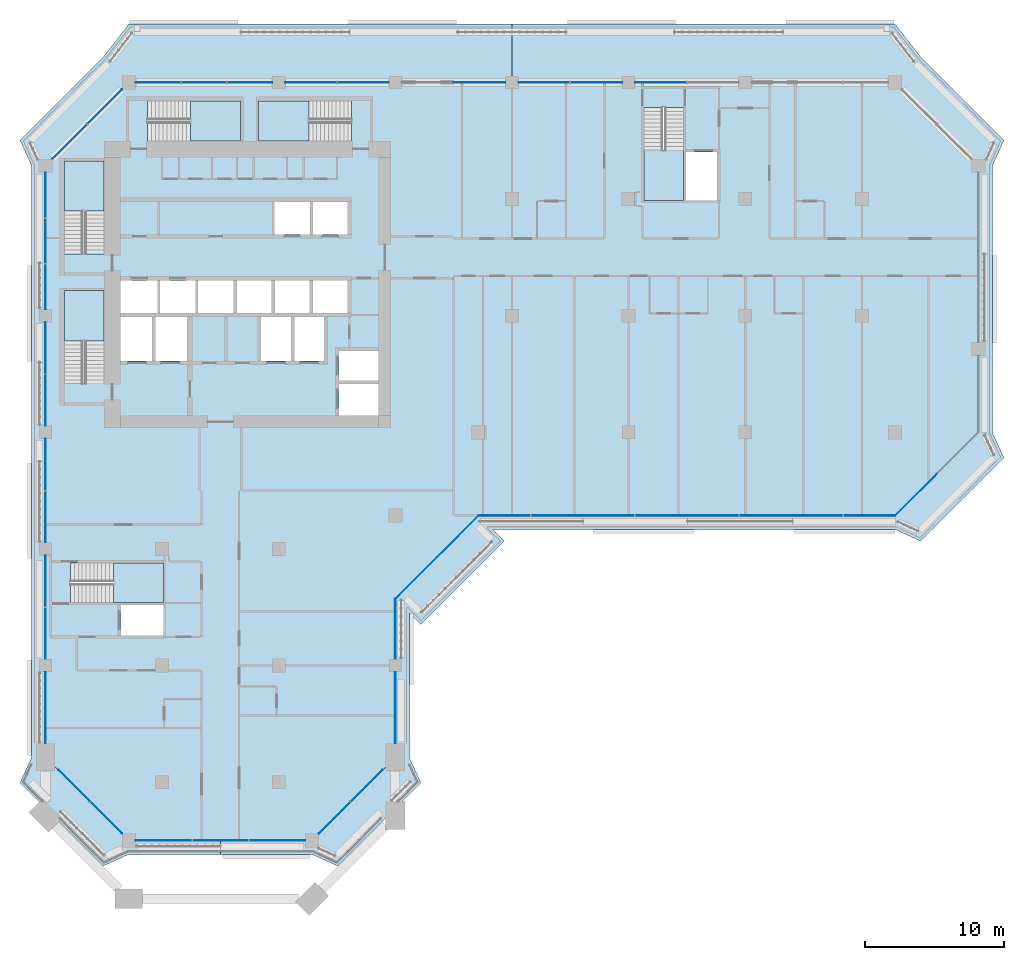
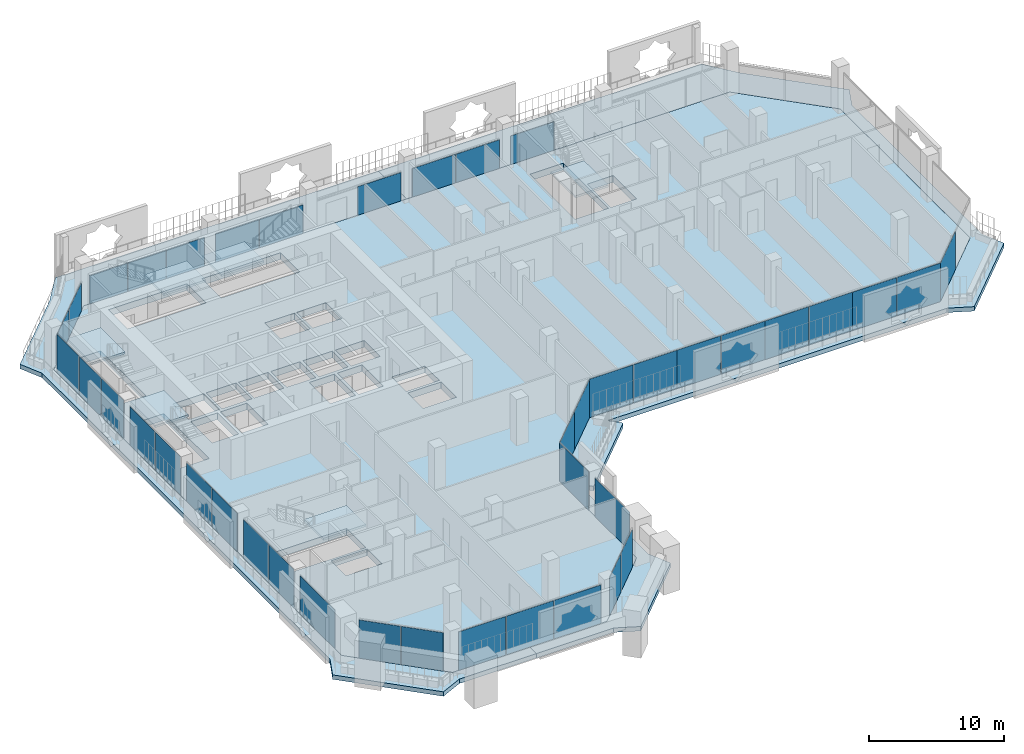
# One storey, part 8 of 23: 41 plates, 9 slabs, 16 elements without a shape of their own.
"""IFC4 building model written with IfcOpenShell, lengths in metres."""

from ifc_helpers import new_model, si_unit, direction, frame, origin, origin_2d, place, context, subcontext, project, spatial, polyline, rectangle, outline, extrude, material, layer, layer_set, type_object, element, aggregate, save


model = new_model("IFC4")

# Units and contexts
model_context = context("Model", 3, precision=1e-05, world=origin(), true_north=direction((0.0, 1.0)))
body_context = subcontext(model_context, "Body", "Model", "MODEL_VIEW")
ifc_project = project(units=[si_unit("LENGTHUNIT", "METRE"), si_unit("AREAUNIT", "SQUARE_METRE"), si_unit("VOLUMEUNIT", "CUBIC_METRE"), si_unit("PLANEANGLEUNIT", "RADIAN"), si_unit("MASSUNIT", "GRAM", prefix="KILO")], contexts=[model_context])

# Site, building, storey
site_placement = place(None, origin())
site = spatial("IfcSite", under=ifc_project, at=site_placement, CompositionType="ELEMENT")
building_placement = place(site_placement, origin())
building = spatial("IfcBuilding", under=site, at=building_placement, Name="Kawkab Arch Medical Tower", CompositionType="ELEMENT")
storey_placement = place(building_placement, frame((0.0, 0.0, 175.199951171875)))
storey = spatial("IfcBuildingStorey", under=building, at=storey_placement, Name="L40", CompositionType="ELEMENT", Elevation=175.199951171875)

# Curtain wall, plates
ifc_material_1 = material(Name="Bronze anodised aluminium curtain wall frame", Category="aluminium")
ifc_layer_1 = layer(ifc_material_1, 0.159912109375)
ifc_layer_set_1 = layer_set([ifc_layer_1], Name="Bronze anodised aluminium curtain wall frame")
curtain_wall_type_1 = type_object("IfcCurtainWallType", Name="CW1 ward curtain wall", PredefinedType="NOTDEFINED", material=ifc_layer_set_1)
placement_1 = place(storey_placement, origin())
curtain_wall_1 = element("IfcCurtainWall", 1, at=placement_1, inside=storey, type_object=curtain_wall_type_1, Name="CW1 Ward curtain wall R01", PredefinedType="NOTDEFINED")
ifc_material_2 = material(Name="Tinted insulating glass, bronze low-e coating", Category="glass")
ifc_layer_2 = layer(ifc_material_2, 0.031982421875)
ifc_layer_set_2 = layer_set([ifc_layer_2], Name="Tinted insulating glass, bronze low-e coating")
plate_type_1 = type_object("IfcPlateType", Name="CW1 glazing unit 32", PredefinedType="CURTAIN_PANEL", material=ifc_layer_set_2)
plate_1_placement = place(storey_placement, frame((0.0, -8.12255859375, 0.0), z_axis=(0.0, 0.0, 1.0), x_axis=(0.0, -1.0, 0.0)))
plate_1 = element("IfcPlate", 2, at=plate_1_placement, type_object=plate_type_1, Name="CW1 glazing unit 1.1", PredefinedType="CURTAIN_PANEL", context=body_context, shape_type="SweptSolid", body=[
    extrude(rectangle(XDim=3.2451171875, YDim=0.031982421875, at=origin_2d()), origin(), (0.0, 0.0, 1.0), 3.47998046875),
])
plate_2_placement = place(storey_placement, frame((0.0, -11.41259765625, 0.0), z_axis=(0.0, 0.0, 1.0), x_axis=(0.0, -1.0, 0.0)))
plate_2 = element("IfcPlate", 3, at=plate_2_placement, type_object=plate_type_1, Name="CW1 glazing unit 1.2", PredefinedType="CURTAIN_PANEL", context=body_context, shape_type="SweptSolid", body=[
    extrude(rectangle(XDim=3.215087890625, YDim=0.031982421875, at=origin_2d()), origin(), (0.0, 0.0, 1.0), 3.47998046875),
])
plate_3_placement = place(storey_placement, frame((0.0, -14.702392578125, 0.0), z_axis=(0.0, 0.0, 1.0), x_axis=(0.0, -1.0, 0.0)))
plate_3 = element("IfcPlate", 4, at=plate_3_placement, type_object=plate_type_1, Name="CW1 glazing unit 1.3", PredefinedType="CURTAIN_PANEL", context=body_context, shape_type="SweptSolid", body=[
    extrude(rectangle(XDim=3.2451171875, YDim=0.031982421875, at=origin_2d()), origin(), (0.0, 0.0, 1.0), 3.47998046875),
])
plate_4_placement = place(storey_placement, frame((0.0, -19.12255859375, 0.0), z_axis=(0.0, 0.0, 1.0), x_axis=(0.0, -1.0, 0.0)))
plate_4 = element("IfcPlate", 5, at=plate_4_placement, type_object=plate_type_1, Name="CW1 glazing unit 2.1", PredefinedType="CURTAIN_PANEL", context=body_context, shape_type="SweptSolid", body=[
    extrude(rectangle(XDim=3.695068359375, YDim=0.031982421875, at=origin_2d()), origin(), (0.0, 0.0, 1.0), 3.47998046875),
])
plate_5_placement = place(storey_placement, frame((0.0, -22.87744140625, 0.0), z_axis=(0.0, 0.0, 1.0), x_axis=(0.0, -1.0, 0.0)))
plate_5 = element("IfcPlate", 6, at=plate_5_placement, type_object=plate_type_1, Name="CW1 glazing unit 2.2", PredefinedType="CURTAIN_PANEL", context=body_context, shape_type="SweptSolid", body=[
    extrude(rectangle(XDim=3.695068359375, YDim=0.031982421875, at=origin_2d()), origin(), (0.0, 0.0, 1.0), 3.47998046875),
])
plate_6_placement = place(storey_placement, frame((0.0, -27.5224609375, 0.0), z_axis=(0.0, 0.0, 1.0), x_axis=(0.0, -1.0, 0.0)))
plate_6 = element("IfcPlate", 7, at=plate_6_placement, type_object=plate_type_1, Name="CW1 glazing unit 3.1", PredefinedType="CURTAIN_PANEL", context=body_context, shape_type="SweptSolid", body=[
    extrude(rectangle(XDim=3.695068359375, YDim=0.031982421875, at=origin_2d()), origin(), (0.0, 0.0, 1.0), 3.47998046875),
])
plate_7_placement = place(storey_placement, frame((0.0, -31.277587890625, 0.0), z_axis=(0.0, 0.0, 1.0), x_axis=(0.0, -1.0, 0.0)))
plate_7 = element("IfcPlate", 8, at=plate_7_placement, type_object=plate_type_1, Name="CW1 glazing unit 3.2", PredefinedType="CURTAIN_PANEL", context=body_context, shape_type="SweptSolid", body=[
    extrude(rectangle(XDim=3.695068359375, YDim=0.031982421875, at=origin_2d()), origin(), (0.0, 0.0, 1.0), 3.47998046875),
])
plate_8_placement = place(storey_placement, frame((0.0, -35.922607421875, 0.0), z_axis=(0.0, 0.0, 1.0), x_axis=(0.0, -1.0, 0.0)))
plate_8 = element("IfcPlate", 9, at=plate_8_placement, type_object=plate_type_1, Name="CW1 glazing unit 4.1", PredefinedType="CURTAIN_PANEL", context=body_context, shape_type="SweptSolid", body=[
    extrude(rectangle(XDim=3.695068359375, YDim=0.031982421875, at=origin_2d()), origin(), (0.0, 0.0, 1.0), 3.47998046875),
])
plate_9_placement = place(storey_placement, frame((0.0, -39.677490234375, 0.0), z_axis=(0.0, 0.0, 1.0), x_axis=(0.0, -1.0, 0.0)))
plate_9 = element("IfcPlate", 10, at=plate_9_placement, type_object=plate_type_1, Name="CW1 glazing unit 4.2", PredefinedType="CURTAIN_PANEL", context=body_context, shape_type="SweptSolid", body=[
    extrude(rectangle(XDim=3.695068359375, YDim=0.031982421875, at=origin_2d()), origin(), (0.0, 0.0, 1.0), 3.47998046875),
])
plate_10_placement = place(storey_placement, frame((0.0, -45.03759765625, 0.0), z_axis=(0.0, 0.0, 1.0), x_axis=(0.0, -1.0, 0.0)))
plate_10 = element("IfcPlate", 11, at=plate_10_placement, type_object=plate_type_1, Name="CW1 glazing unit 5.1", PredefinedType="CURTAIN_PANEL", context=body_context, shape_type="SweptSolid", body=[
    extrude(rectangle(XDim=5.125, YDim=0.031982421875, at=origin_2d()), origin(), (0.0, 0.0, 1.0), 3.47998046875),
])
aggregate(curtain_wall_1, [plate_1, plate_2, plate_3, plate_4, plate_5, plate_6, plate_7, plate_8, plate_9, plate_10])

curtain_wall_2 = element("IfcCurtainWall", 12, at=placement_1, inside=storey, type_object=curtain_wall_type_1, Name="CW1 Ward curtain wall R03", PredefinedType="NOTDEFINED")
plate_11_placement = place(storey_placement, frame((8.518310546875, -54.60009765625, 0.0), z_axis=(0.0, 0.0, 1.0), x_axis=(1.0, 0.0, 0.0)))
plate_11 = element("IfcPlate", 13, at=plate_11_placement, type_object=plate_type_1, Name="CW1 glazing unit 1.1", PredefinedType="CURTAIN_PANEL", context=body_context, shape_type="SweptSolid", body=[
    extrude(rectangle(XDim=4.03662109375, YDim=0.031982421875, at=origin_2d()), origin(), (0.0, 0.0, 1.0), 3.47998046875),
])
plate_12_placement = place(storey_placement, frame((12.60009765625, -54.60009765625, 0.0), z_axis=(0.0, 0.0, 1.0), x_axis=(1.0, 0.0, 0.0)))
plate_12 = element("IfcPlate", 14, at=plate_12_placement, type_object=plate_type_1, Name="CW1 glazing unit 1.2", PredefinedType="CURTAIN_PANEL", context=body_context, shape_type="SweptSolid", body=[
    extrude(rectangle(XDim=4.006591796875, YDim=0.031982421875, at=origin_2d()), origin(), (0.0, 0.0, 1.0), 3.47998046875),
])
plate_13_placement = place(storey_placement, frame((16.681640625, -54.60009765625, 0.0), z_axis=(0.0, 0.0, 1.0), x_axis=(1.0, 0.0, 0.0)))
plate_13 = element("IfcPlate", 15, at=plate_13_placement, type_object=plate_type_1, Name="CW1 glazing unit 1.3", PredefinedType="CURTAIN_PANEL", context=body_context, shape_type="SweptSolid", body=[
    extrude(rectangle(XDim=4.03662109375, YDim=0.031982421875, at=origin_2d()), origin(), (0.0, 0.0, 1.0), 3.47998046875),
])
aggregate(curtain_wall_2, [plate_11, plate_12, plate_13])

curtain_wall_3 = element("IfcCurtainWall", 16, at=placement_1, inside=storey, type_object=curtain_wall_type_1, Name="CW1 Ward curtain wall R05", PredefinedType="NOTDEFINED")
plate_14_placement = place(storey_placement, frame((25.199951171875, -45.03759765625, 0.0), z_axis=(0.0, 0.0, 1.0), x_axis=(0.0, 1.0, 0.0)))
plate_14 = element("IfcPlate", 17, at=plate_14_placement, type_object=plate_type_1, Name="CW1 glazing unit 1.1", PredefinedType="CURTAIN_PANEL", context=body_context, shape_type="SweptSolid", body=[
    extrude(rectangle(XDim=5.125, YDim=0.031982421875, at=origin_2d()), origin(), (0.0, 0.0, 1.0), 3.47998046875),
])
plate_15_placement = place(storey_placement, frame((25.199951171875, -39.362548828125, 0.0), z_axis=(0.0, 0.0, 1.0), x_axis=(0.0, 1.0, 0.0)))
plate_15 = element("IfcPlate", 18, at=plate_15_placement, type_object=plate_type_1, Name="CW1 glazing unit 2.1", PredefinedType="CURTAIN_PANEL", context=body_context, shape_type="SweptSolid", body=[
    extrude(rectangle(XDim=4.324951171875, YDim=0.031982421875, at=origin_2d()), origin(), (0.0, 0.0, 1.0), 3.47998046875),
])
aggregate(curtain_wall_3, [plate_14, plate_15])

curtain_wall_4 = element("IfcCurtainWall", 19, at=placement_1, inside=storey, type_object=curtain_wall_type_1, Name="CW1 Ward curtain wall R07", PredefinedType="NOTDEFINED")
plate_16_placement = place(storey_placement, frame((33.06005859375, -31.199951171875, 0.0), z_axis=(0.0, 0.0, 1.0), x_axis=(1.0, 0.0, 0.0)))
plate_16 = element("IfcPlate", 20, at=plate_16_placement, type_object=plate_type_1, Name="CW1 glazing unit 1.1", PredefinedType="CURTAIN_PANEL", context=body_context, shape_type="SweptSolid", body=[
    extrude(rectangle(XDim=3.719970703125, YDim=0.031982421875, at=origin_2d()), origin(), (0.0, 0.0, 1.0), 3.47998046875),
])
plate_17_placement = place(storey_placement, frame((36.840087890625, -31.199951171875, 0.0), z_axis=(0.0, 0.0, 1.0), x_axis=(1.0, 0.0, 0.0)))
plate_17 = element("IfcPlate", 21, at=plate_17_placement, type_object=plate_type_1, Name="CW1 glazing unit 1.2", PredefinedType="CURTAIN_PANEL", context=body_context, shape_type="SweptSolid", body=[
    extrude(rectangle(XDim=3.719970703125, YDim=0.031982421875, at=origin_2d()), origin(), (0.0, 0.0, 1.0), 3.47998046875),
])
plate_18_placement = place(storey_placement, frame((40.56005859375, -31.199951171875, 0.0), z_axis=(0.0, 0.0, 1.0), x_axis=(1.0, 0.0, 0.0)))
plate_18 = element("IfcPlate", 22, at=plate_18_placement, type_object=plate_type_1, Name="CW1 glazing unit 2.1", PredefinedType="CURTAIN_PANEL", context=body_context, shape_type="SweptSolid", body=[
    extrude(rectangle(XDim=3.719970703125, YDim=0.031982421875, at=origin_2d()), origin(), (0.0, 0.0, 1.0), 3.47998046875),
])
plate_19_placement = place(storey_placement, frame((44.340087890625, -31.199951171875, 0.0), z_axis=(0.0, 0.0, 1.0), x_axis=(1.0, 0.0, 0.0)))
plate_19 = element("IfcPlate", 23, at=plate_19_placement, type_object=plate_type_1, Name="CW1 glazing unit 2.2", PredefinedType="CURTAIN_PANEL", context=body_context, shape_type="SweptSolid", body=[
    extrude(rectangle(XDim=3.719970703125, YDim=0.031982421875, at=origin_2d()), origin(), (0.0, 0.0, 1.0), 3.47998046875),
])
plate_20_placement = place(storey_placement, frame((48.06005859375, -31.199951171875, 0.0), z_axis=(0.0, 0.0, 1.0), x_axis=(1.0, 0.0, 0.0)))
plate_20 = element("IfcPlate", 24, at=plate_20_placement, type_object=plate_type_1, Name="CW1 glazing unit 3.1", PredefinedType="CURTAIN_PANEL", context=body_context, shape_type="SweptSolid", body=[
    extrude(rectangle(XDim=3.719970703125, YDim=0.031982421875, at=origin_2d()), origin(), (0.0, 0.0, 1.0), 3.47998046875),
])
plate_21_placement = place(storey_placement, frame((51.840087890625, -31.199951171875, 0.0), z_axis=(0.0, 0.0, 1.0), x_axis=(1.0, 0.0, 0.0)))
plate_21 = element("IfcPlate", 25, at=plate_21_placement, type_object=plate_type_1, Name="CW1 glazing unit 3.2", PredefinedType="CURTAIN_PANEL", context=body_context, shape_type="SweptSolid", body=[
    extrude(rectangle(XDim=3.719970703125, YDim=0.031982421875, at=origin_2d()), origin(), (0.0, 0.0, 1.0), 3.47998046875),
])
plate_22_placement = place(storey_placement, frame((55.56005859375, -31.199951171875, 0.0), z_axis=(0.0, 0.0, 1.0), x_axis=(1.0, 0.0, 0.0)))
plate_22 = element("IfcPlate", 26, at=plate_22_placement, type_object=plate_type_1, Name="CW1 glazing unit 4.1", PredefinedType="CURTAIN_PANEL", context=body_context, shape_type="SweptSolid", body=[
    extrude(rectangle(XDim=3.719970703125, YDim=0.031982421875, at=origin_2d()), origin(), (0.0, 0.0, 1.0), 3.47998046875),
])
plate_23_placement = place(storey_placement, frame((59.340087890625, -31.199951171875, 0.0), z_axis=(0.0, 0.0, 1.0), x_axis=(1.0, 0.0, 0.0)))
plate_23 = element("IfcPlate", 27, at=plate_23_placement, type_object=plate_type_1, Name="CW1 glazing unit 4.2", PredefinedType="CURTAIN_PANEL", context=body_context, shape_type="SweptSolid", body=[
    extrude(rectangle(XDim=3.719970703125, YDim=0.031982421875, at=origin_2d()), origin(), (0.0, 0.0, 1.0), 3.47998046875),
])
aggregate(curtain_wall_4, [plate_16, plate_17, plate_18, plate_19, plate_20, plate_21, plate_22, plate_23])

curtain_wall_5 = element("IfcCurtainWall", 28, at=placement_1, inside=storey, type_object=curtain_wall_type_1, Name="CW1 Ward curtain wall R11", PredefinedType="NOTDEFINED")
plate_24_placement = place(storey_placement, frame((44.322509765625, 0.0, 0.0), z_axis=(0.0, 0.0, 1.0), x_axis=(-1.0, 0.0, 0.0)))
plate_24 = element("IfcPlate", 29, at=plate_24_placement, type_object=plate_type_1, Name="CW1 glazing unit 2.2", PredefinedType="CURTAIN_PANEL", context=body_context, shape_type="SweptSolid", body=[
    extrude(rectangle(XDim=3.695068359375, YDim=0.031982421875, at=origin_2d()), origin(), (0.0, 0.0, 1.0), 2.580078125),
])
plate_25_placement = place(storey_placement, frame((39.677490234375, 0.0, 0.0), z_axis=(0.0, 0.0, 1.0), x_axis=(-1.0, 0.0, 0.0)))
plate_25 = element("IfcPlate", 30, at=plate_25_placement, type_object=plate_type_1, Name="CW1 glazing unit 3.1", PredefinedType="CURTAIN_PANEL", context=body_context, shape_type="SweptSolid", body=[
    extrude(rectangle(XDim=3.695068359375, YDim=0.031982421875, at=origin_2d()), origin(), (0.0, 0.0, 1.0), 2.580078125),
])
plate_26_placement = place(storey_placement, frame((35.922607421875, 0.0, 0.0), z_axis=(0.0, 0.0, 1.0), x_axis=(-1.0, 0.0, 0.0)))
plate_26 = element("IfcPlate", 31, at=plate_26_placement, type_object=plate_type_1, Name="CW1 glazing unit 3.2", PredefinedType="CURTAIN_PANEL", context=body_context, shape_type="SweptSolid", body=[
    extrude(rectangle(XDim=3.695068359375, YDim=0.031982421875, at=origin_2d()), origin(), (0.0, 0.0, 1.0), 2.580078125),
])
plate_27_placement = place(storey_placement, frame((31.262451171875, 0.0, 0.0), z_axis=(0.0, 0.0, 1.0), x_axis=(-1.0, 0.0, 0.0)))
plate_27 = element("IfcPlate", 32, at=plate_27_placement, type_object=plate_type_1, Name="CW1 glazing unit 4.1", PredefinedType="CURTAIN_PANEL", context=body_context, shape_type="SweptSolid", body=[
    extrude(rectangle(XDim=3.72509765625, YDim=0.031982421875, at=origin_2d()), origin(), (0.0, 0.0, 1.0), 2.580078125),
])
plate_28_placement = place(storey_placement, frame((22.87744140625, 0.0, 0.0), z_axis=(0.0, 0.0, 1.0), x_axis=(-1.0, 0.0, 0.0)))
plate_28 = element("IfcPlate", 33, at=plate_28_placement, type_object=plate_type_1, Name="CW1 glazing unit 5.1", PredefinedType="CURTAIN_PANEL", context=body_context, shape_type="SweptSolid", body=[
    extrude(rectangle(XDim=3.695068359375, YDim=0.031982421875, at=origin_2d()), origin(), (0.0, 0.0, 1.0), 2.580078125),
])
plate_29_placement = place(storey_placement, frame((19.12255859375, 0.0, 0.0), z_axis=(0.0, 0.0, 1.0), x_axis=(-1.0, 0.0, 0.0)))
plate_29 = element("IfcPlate", 34, at=plate_29_placement, type_object=plate_type_1, Name="CW1 glazing unit 5.2", PredefinedType="CURTAIN_PANEL", context=body_context, shape_type="SweptSolid", body=[
    extrude(rectangle(XDim=3.695068359375, YDim=0.031982421875, at=origin_2d()), origin(), (0.0, 0.0, 1.0), 2.580078125),
])
plate_30_placement = place(storey_placement, frame((14.702392578125, 0.0, 0.0), z_axis=(0.0, 0.0, 1.0), x_axis=(-1.0, 0.0, 0.0)))
plate_30 = element("IfcPlate", 35, at=plate_30_placement, type_object=plate_type_1, Name="CW1 glazing unit 6.1", PredefinedType="CURTAIN_PANEL", context=body_context, shape_type="SweptSolid", body=[
    extrude(rectangle(XDim=3.2451171875, YDim=0.031982421875, at=origin_2d()), origin(), (0.0, 0.0, 1.0), 2.580078125),
])
plate_31_placement = place(storey_placement, frame((11.41259765625, 0.0, 0.0), z_axis=(0.0, 0.0, 1.0), x_axis=(-1.0, 0.0, 0.0)))
plate_31 = element("IfcPlate", 36, at=plate_31_placement, type_object=plate_type_1, Name="CW1 glazing unit 6.2", PredefinedType="CURTAIN_PANEL", context=body_context, shape_type="SweptSolid", body=[
    extrude(rectangle(XDim=3.215087890625, YDim=0.031982421875, at=origin_2d()), origin(), (0.0, 0.0, 1.0), 2.580078125),
])
plate_32_placement = place(storey_placement, frame((8.12255859375, 0.0, 0.0), z_axis=(0.0, 0.0, 1.0), x_axis=(-1.0, 0.0, 0.0)))
plate_32 = element("IfcPlate", 37, at=plate_32_placement, type_object=plate_type_1, Name="CW1 glazing unit 6.3", PredefinedType="CURTAIN_PANEL", context=body_context, shape_type="SweptSolid", body=[
    extrude(rectangle(XDim=3.2451171875, YDim=0.031982421875, at=origin_2d()), origin(), (0.0, 0.0, 1.0), 2.580078125),
])
aggregate(curtain_wall_5, [plate_24, plate_25, plate_26, plate_27, plate_28, plate_29, plate_30, plate_31, plate_32])

ifc_material_3 = material(Name="Bronze anodised aluminium curtain wall frame", Category="aluminium")
ifc_layer_3 = layer(ifc_material_3, 0.159912109375)
ifc_layer_set_3 = layer_set([ifc_layer_3], Name="Bronze anodised aluminium curtain wall frame")
curtain_wall_type_2 = type_object("IfcCurtainWallType", Name="CW2 chamfer curtain wall", PredefinedType="NOTDEFINED", material=ifc_layer_set_3)
curtain_wall_6 = element("IfcCurtainWall", 38, at=placement_1, inside=storey, type_object=curtain_wall_type_2, Name="CW2 Chamfer curtain wall R02", PredefinedType="NOTDEFINED")
ifc_material_4 = material(Name="Tinted insulating glass, bronze low-e coating", Category="glass")
ifc_layer_4 = layer(ifc_material_4, 0.031982421875)
ifc_layer_set_4 = layer_set([ifc_layer_4], Name="Tinted insulating glass, bronze low-e coating")
plate_type_2 = type_object("IfcPlateType", Name="CW2 glazing unit 32", PredefinedType="CURTAIN_PANEL", material=ifc_layer_set_4)
plate_33_placement = place(storey_placement, frame((2.062255859375, -50.662109375, 0.0), z_axis=(0.0, 0.0, 1.0), x_axis=(0.707106781187, -0.707106781187, 0.0)))
plate_33 = element("IfcPlate", 39, at=plate_33_placement, type_object=plate_type_2, Name="CW2 glazing unit 1.1", PredefinedType="CURTAIN_PANEL", context=body_context, shape_type="SweptSolid", body=[
    extrude(rectangle(XDim=3.201171875, YDim=0.031982421875, at=origin_2d()), origin(), (0.0, 0.0, 1.0), 3.4599609375),
])
plate_34_placement = place(storey_placement, frame((4.3681640625, -52.96826171875, 0.0), z_axis=(0.0, 0.0, 1.0), x_axis=(0.707106781187, -0.707106781187, 0.0)))
plate_34 = element("IfcPlate", 40, at=plate_34_placement, type_object=plate_type_2, Name="CW2 glazing unit 1.2", PredefinedType="CURTAIN_PANEL", context=body_context, shape_type="SweptSolid", body=[
    extrude(rectangle(XDim=3.201171875, YDim=0.031982421875, at=origin_2d()), origin(), (0.0, 0.0, 1.0), 3.4599609375),
])
aggregate(curtain_wall_6, [plate_33, plate_34])

curtain_wall_7 = element("IfcCurtainWall", 41, at=placement_1, inside=storey, type_object=curtain_wall_type_2, Name="CW2 Chamfer curtain wall R04", PredefinedType="NOTDEFINED")
plate_35_placement = place(storey_placement, frame((20.831787109375, -52.96826171875, 0.0), z_axis=(0.0, 0.0, 1.0), x_axis=(0.707106781187, 0.707106781187, 0.0)))
plate_35 = element("IfcPlate", 42, at=plate_35_placement, type_object=plate_type_2, Name="CW2 glazing unit 1.1", PredefinedType="CURTAIN_PANEL", context=body_context, shape_type="SweptSolid", body=[
    extrude(rectangle(XDim=3.201171875, YDim=0.031982421875, at=origin_2d()), origin(), (0.0, 0.0, 1.0), 3.4599609375),
])
plate_36_placement = place(storey_placement, frame((23.137939453125, -50.662109375, 0.0), z_axis=(0.0, 0.0, 1.0), x_axis=(0.707106781187, 0.707106781187, 0.0)))
plate_36 = element("IfcPlate", 43, at=plate_36_placement, type_object=plate_type_2, Name="CW2 glazing unit 1.2", PredefinedType="CURTAIN_PANEL", context=body_context, shape_type="SweptSolid", body=[
    extrude(rectangle(XDim=3.201171875, YDim=0.031982421875, at=origin_2d()), origin(), (0.0, 0.0, 1.0), 3.4599609375),
])
aggregate(curtain_wall_7, [plate_35, plate_36])

curtain_wall_8 = element("IfcCurtainWall", 44, at=placement_1, inside=storey, type_object=curtain_wall_type_2, Name="CW2 Chamfer curtain wall R06", PredefinedType="NOTDEFINED")
plate_37_placement = place(storey_placement, frame((26.699951171875, -35.699951171875, 0.0), z_axis=(0.0, 0.0, 1.0), x_axis=(0.707106781187, 0.707106781187, 0.0)))
plate_37 = element("IfcPlate", 45, at=plate_37_placement, type_object=plate_type_2, Name="CW2 glazing unit 1.1", PredefinedType="CURTAIN_PANEL", context=body_context, shape_type="SweptSolid", body=[
    extrude(rectangle(XDim=4.24267578125, YDim=0.031982421875, at=origin_2d()), origin(), (0.0, 0.0, 1.0), 3.4599609375),
])
plate_38_placement = place(storey_placement, frame((29.699951171875, -32.699951171875, 0.0), z_axis=(0.0, 0.0, 1.0), x_axis=(0.707106781187, 0.707106781187, 0.0)))
plate_38 = element("IfcPlate", 46, at=plate_38_placement, type_object=plate_type_2, Name="CW2 glazing unit 2.1", PredefinedType="CURTAIN_PANEL", context=body_context, shape_type="SweptSolid", body=[
    extrude(rectangle(XDim=4.24267578125, YDim=0.031982421875, at=origin_2d()), origin(), (0.0, 0.0, 1.0), 3.4599609375),
])
aggregate(curtain_wall_8, [plate_37, plate_38])

# Curtain wall, plate
curtain_wall_9 = element("IfcCurtainWall", 47, at=placement_1, inside=storey, type_object=curtain_wall_type_2, Name="CW2 Chamfer curtain wall R08", PredefinedType="NOTDEFINED")
plate_39_placement = place(storey_placement, frame((62.699951171875, -29.699951171875, 0.0), z_axis=(0.0, 0.0, 1.0), x_axis=(0.707106781187, 0.707106781187, 0.0)))
plate_39 = element("IfcPlate", 48, at=plate_39_placement, type_object=plate_type_2, Name="CW2 glazing unit 1.1", PredefinedType="CURTAIN_PANEL", context=body_context, shape_type="SweptSolid", body=[
    extrude(rectangle(XDim=4.24267578125, YDim=0.031982421875, at=origin_2d()), origin(), (0.0, 0.0, 1.0), 3.4599609375),
])
aggregate(curtain_wall_9, [plate_39])

# Curtain wall, plates
curtain_wall_10 = element("IfcCurtainWall", 49, at=placement_1, inside=storey, type_object=curtain_wall_type_2, Name="CW2 Chamfer curtain wall R12", PredefinedType="NOTDEFINED")
plate_40_placement = place(storey_placement, frame((4.260498046875, -1.739501953125, 0.0), z_axis=(0.0, 0.0, 1.0), x_axis=(-0.707106781187, -0.707106781187, 0.0)))
plate_40 = element("IfcPlate", 50, at=plate_40_placement, type_object=plate_type_2, Name="CW2 glazing unit 1.1", PredefinedType="CURTAIN_PANEL", context=body_context, shape_type="SweptSolid", body=[
    extrude(rectangle(XDim=3.505615234375, YDim=0.031982421875, at=origin_2d()), origin(), (0.0, 0.0, 1.0), 2.56005859375),
])
plate_41_placement = place(storey_placement, frame((1.739501953125, -4.260498046875, 0.0), z_axis=(0.0, 0.0, 1.0), x_axis=(-0.707106781187, -0.707106781187, 0.0)))
plate_41 = element("IfcPlate", 51, at=plate_41_placement, type_object=plate_type_2, Name="CW2 glazing unit 1.2", PredefinedType="CURTAIN_PANEL", context=body_context, shape_type="SweptSolid", body=[
    extrude(rectangle(XDim=3.505615234375, YDim=0.031982421875, at=origin_2d()), origin(), (0.0, 0.0, 1.0), 2.56005859375),
])
aggregate(curtain_wall_10, [plate_40, plate_41])

# Stair, slab
ifc_material_5 = material(Name="Concrete C40/50", Category="concrete")
stair_type = type_object("IfcStairType", Name="Exit stair 1350", PredefinedType="HALF_TURN_STAIR", material=ifc_material_5)
stair_1 = element("IfcStair", 52, at=placement_1, inside=storey, type_object=stair_type, Name="L40 Exit stair ST1", PredefinedType="HALF_TURN_STAIR")
ifc_material_6 = material(Name="Concrete C40/50", Category="concrete")
ifc_layer_5 = layer(ifc_material_6, 0.199951171875)
ifc_layer_set_5 = layer_set([ifc_layer_5], Name="Concrete C40/50")
slab_type_1 = type_object("IfcSlabType", Name="Exit stair landing 200", PredefinedType="LANDING", material=ifc_layer_set_5)
placement_2 = place(storey_placement, frame((0.0, 0.0, 1.900146484375)))
slab_1 = element("IfcSlab", 53, at=placement_2, type_object=slab_type_1, Name="ST1 landing 1", PredefinedType="LANDING", context=body_context, shape_type="SweptSolid", body=[
    extrude(outline(polyline([(4.199951171875, -9.27001953125), (4.199951171875, -5.64990234375), (1.35009765625, -5.64990234375), (1.35009765625, -9.27001953125), (4.199951171875, -9.27001953125)])), origin(), (0.0, 0.0, 1.0), 0.199951171875),
])
aggregate(stair_1, [slab_1])

stair_2 = element("IfcStair", 54, at=placement_1, inside=storey, type_object=stair_type, Name="L40 Exit stair ST2", PredefinedType="HALF_TURN_STAIR")
slab_2 = element("IfcSlab", 55, at=placement_2, type_object=slab_type_1, Name="ST2 landing 1", PredefinedType="LANDING", context=body_context, shape_type="SweptSolid", body=[
    extrude(outline(polyline([(4.199951171875, -18.6201171875), (4.199951171875, -15.0), (1.35009765625, -15.0), (1.35009765625, -18.6201171875), (4.199951171875, -18.6201171875)])), origin(), (0.0, 0.0, 1.0), 0.199951171875),
])
aggregate(stair_2, [slab_2])

stair_3 = element("IfcStair", 56, at=placement_1, inside=storey, type_object=stair_type, Name="L40 Exit stair ST3", PredefinedType="HALF_TURN_STAIR")
slab_3 = element("IfcSlab", 57, at=placement_2, type_object=slab_type_1, Name="ST3 landing 1", PredefinedType="LANDING", context=body_context, shape_type="SweptSolid", body=[
    extrude(outline(polyline([(10.429931640625, -4.199951171875), (14.050048828125, -4.199951171875), (14.050048828125, -1.35009765625), (10.429931640625, -1.35009765625), (10.429931640625, -4.199951171875)])), origin(), (0.0, 0.0, 1.0), 0.199951171875),
])
aggregate(stair_3, [slab_3])

stair_4 = element("IfcStair", 58, at=placement_1, inside=storey, type_object=stair_type, Name="L40 Exit stair ST4", PredefinedType="HALF_TURN_STAIR")
slab_4 = element("IfcSlab", 59, at=placement_2, type_object=slab_type_1, Name="ST4 landing 1", PredefinedType="LANDING", context=body_context, shape_type="SweptSolid", body=[
    extrude(outline(polyline([(18.969970703125, -1.35009765625), (15.35009765625, -1.35009765625), (15.35009765625, -4.199951171875), (18.969970703125, -4.199951171875), (18.969970703125, -1.35009765625)])), origin(), (0.0, 0.0, 1.0), 0.199951171875),
])
aggregate(stair_4, [slab_4])

stair_5 = element("IfcStair", 60, at=placement_1, inside=storey, type_object=stair_type, Name="L40 Exit stair ST5", PredefinedType="HALF_TURN_STAIR")
slab_5 = element("IfcSlab", 61, at=placement_2, type_object=slab_type_1, Name="ST5 landing 1", PredefinedType="LANDING", context=body_context, shape_type="SweptSolid", body=[
    extrude(outline(polyline([(43.10009765625, -4.8798828125), (43.10009765625, -8.5), (45.949951171875, -8.5), (45.949951171875, -4.8798828125), (43.10009765625, -4.8798828125)])), origin(), (0.0, 0.0, 1.0), 0.199951171875),
])
aggregate(stair_5, [slab_5])

stair_6 = element("IfcStair", 62, at=placement_1, inside=storey, type_object=stair_type, Name="L40 Exit stair ST6", PredefinedType="HALF_TURN_STAIR")
slab_6 = element("IfcSlab", 63, at=placement_2, type_object=slab_type_1, Name="ST6 landing 1", PredefinedType="LANDING", context=body_context, shape_type="SweptSolid", body=[
    extrude(outline(polyline([(4.8798828125, -37.449951171875), (8.5, -37.449951171875), (8.5, -34.60009765625), (4.8798828125, -34.60009765625), (4.8798828125, -37.449951171875)])), origin(), (0.0, 0.0, 1.0), 0.199951171875),
])
aggregate(stair_6, [slab_6])

# Slabs
ifc_material_7 = material(Name="Concrete C45/55", Category="concrete")
ifc_layer_6 = layer(ifc_material_7, 0.60009765625)
ifc_layer_set_6 = layer_set([ifc_layer_6], Name="Concrete C45/55")
slab_type_2 = type_object("IfcSlabType", Name="Flat plate 600 C45/55", PredefinedType="FLOOR", material=ifc_layer_set_6)
slab_7_placement = place(storey_placement, frame((0.0, 0.0, -0.599853515625)))
element("IfcSlab", 64, at=slab_7_placement, inside=storey, type_object=slab_type_2, Name="Floor slab L40", PredefinedType="FLOOR", context=body_context, shape_type="SweptSolid", body=[
    extrude(outline(polyline([(6.0, 0.0), (61.199951171875, 0.0), (67.199951171875, -6.0), (67.199951171875, -25.199951171875), (61.199951171875, -31.199951171875), (31.199951171875, -31.199951171875), (25.199951171875, -37.199951171875), (25.199951171875, -48.60009765625), (19.199951171875, -54.60009765625), (6.0, -54.60009765625), (0.0, -48.60009765625), (0.0, -6.0), (6.0, 0.0)]), holes=[polyline([(5.425048828125, -37.64990234375), (5.425048828125, -39.85009765625), (8.5, -39.85009765625), (8.5, -37.64990234375), (5.425048828125, -37.64990234375)]), polyline([(8.5, -37.449951171875), (8.5, -34.60009765625), (1.800048828125, -34.60009765625), (1.800048828125, -37.449951171875), (8.5, -37.449951171875)]), polyline([(5.39990234375, -20.050048828125), (7.675048828125, -20.050048828125), (7.675048828125, -16.89990234375), (5.39990234375, -16.89990234375), (5.39990234375, -20.050048828125)]), polyline([(10.199951171875, -20.050048828125), (10.199951171875, -16.89990234375), (7.925048828125, -16.89990234375), (7.925048828125, -20.050048828125), (10.199951171875, -20.050048828125)]), polyline([(4.199951171875, -21.699951171875), (4.199951171875, -15.0), (1.35009765625, -15.0), (1.35009765625, -21.699951171875), (4.199951171875, -21.699951171875)]), polyline([(5.39990234375, -16.60009765625), (8.050048828125, -16.60009765625), (8.050048828125, -14.25), (5.39990234375, -14.25), (5.39990234375, -16.60009765625)]), polyline([(8.25, -14.25), (8.25, -16.60009765625), (10.800048828125, -16.60009765625), (10.800048828125, -14.25), (8.25, -14.25)]), polyline([(11.0, -14.25), (11.0, -16.60009765625), (13.52490234375, -16.60009765625), (13.52490234375, -14.25), (11.0, -14.25)]), polyline([(16.27490234375, -14.25), (13.77490234375, -14.25), (13.77490234375, -16.60009765625), (16.27490234375, -16.60009765625), (16.27490234375, -14.25)]), polyline([(4.199951171875, -12.35009765625), (4.199951171875, -5.64990234375), (1.35009765625, -5.64990234375), (1.35009765625, -12.35009765625), (4.199951171875, -12.35009765625)]), polyline([(7.35009765625, -4.199951171875), (14.050048828125, -4.199951171875), (14.050048828125, -1.35009765625), (7.35009765625, -1.35009765625), (7.35009765625, -4.199951171875)]), polyline([(24.0, -21.72509765625), (21.14990234375, -21.72509765625), (21.14990234375, -24.0), (24.0, -24.0), (24.0, -21.72509765625)]), polyline([(24.0, -19.35009765625), (21.14990234375, -19.35009765625), (21.14990234375, -21.47509765625), (24.0, -21.47509765625), (24.0, -19.35009765625)]), polyline([(17.675048828125, -16.89990234375), (15.52490234375, -16.89990234375), (15.52490234375, -20.050048828125), (17.675048828125, -20.050048828125), (17.675048828125, -16.89990234375)]), polyline([(20.050048828125, -16.89990234375), (17.925048828125, -16.89990234375), (17.925048828125, -20.050048828125), (20.050048828125, -20.050048828125), (20.050048828125, -16.89990234375)]), polyline([(16.52490234375, -16.60009765625), (19.02490234375, -16.60009765625), (19.02490234375, -14.25), (16.52490234375, -14.25), (16.52490234375, -16.60009765625)]), polyline([(21.75, -16.60009765625), (21.75, -14.25), (19.27490234375, -14.25), (19.27490234375, -16.60009765625), (21.75, -16.60009765625)]), polyline([(19.050048828125, -10.949951171875), (19.050048828125, -8.60009765625), (16.5, -8.60009765625), (16.5, -10.949951171875), (19.050048828125, -10.949951171875)]), polyline([(21.75, -10.949951171875), (21.75, -8.60009765625), (19.25, -8.60009765625), (19.25, -10.949951171875), (21.75, -10.949951171875)]), polyline([(46.14990234375, -8.5), (48.35009765625, -8.5), (48.35009765625, -5.02490234375), (46.14990234375, -5.02490234375), (46.14990234375, -8.5)]), polyline([(43.10009765625, -1.800048828125), (43.10009765625, -8.5), (45.949951171875, -8.5), (45.949951171875, -1.800048828125), (43.10009765625, -1.800048828125)]), polyline([(22.050048828125, -1.35009765625), (15.35009765625, -1.35009765625), (15.35009765625, -4.199951171875), (22.050048828125, -4.199951171875), (22.050048828125, -1.35009765625)])]), origin(), (0.0, 0.0, 1.0), 0.599853515625),
])
ifc_material_8 = material(Name="Concrete C40/50", Category="concrete")
ifc_layer_7 = layer(ifc_material_8, 0.39990234375)
ifc_layer_set_7 = layer_set([ifc_layer_7], Name="Concrete C40/50")
slab_type_3 = type_object("IfcSlabType", Name="Loggia slab 400", PredefinedType="FLOOR", material=ifc_layer_set_7)
placement_3 = place(storey_placement, frame((0.0, 0.0, -0.39990234375)))
element("IfcSlab", 65, at=placement_3, inside=storey, type_object=slab_type_3, Name="Loggia slab L40.3", PredefinedType="FLOOR", context=body_context, shape_type="SweptSolid", body=[
    extrude(outline(polyline([(-1.837890625, -50.43701171875), (-1.0, -48.60009765625), (-1.0, -6.0), (-1.837890625, -4.1630859375), (4.162109375, 1.837890625), (5.9990234375, 4.198974609375), (6.0009765625, 4.198974609375), (6.0009765625, 4.199951171875), (33.59912109375, 4.199951171875), (33.59912109375, 4.198974609375), (33.60009765625, 4.198974609375), (33.60009765625, 0.001953125), (33.59912109375, 0.001953125), (33.59912109375, 0.0009765625), (6.0, 0.0009765625), (-0.0009765625, -6.0), (-0.0009765625, -48.60009765625), (6.0, -54.60107421875), (12.59912109375, -54.60107421875), (12.59912109375, -54.60205078125), (12.60009765625, -54.60205078125), (12.60009765625, -55.59912109375), (12.59912109375, -55.59912109375), (12.59912109375, -55.60009765625), (6.0, -55.60009765625), (4.1630859375, -56.43798828125), (-1.837890625, -50.43701171875)])), origin(), (0.0, 0.0, 1.0), 0.39990234375),
])
element("IfcSlab", 66, at=placement_3, inside=storey, type_object=slab_type_3, Name="Loggia slab L40.4", PredefinedType="FLOOR", context=body_context, shape_type="SweptSolid", body=[
    extrude(outline(polyline([(12.60107421875, -55.60009765625), (12.60107421875, -55.59912109375), (12.60009765625, -55.59912109375), (12.60009765625, -54.60205078125), (12.60107421875, -54.60205078125), (12.60107421875, -54.60107421875), (19.199951171875, -54.60107421875), (25.199951171875, -48.60009765625), (25.199951171875, -37.200927734375), (31.200927734375, -31.199951171875), (61.199951171875, -31.199951171875), (67.200927734375, -25.199951171875), (67.200927734375, -6.0), (61.199951171875, 0.0009765625), (33.60107421875, 0.0009765625), (33.60107421875, 0.001953125), (33.60009765625, 0.001953125), (33.60009765625, 4.198974609375), (33.60107421875, 4.198974609375), (33.60107421875, 4.199951171875), (61.198974609375, 4.199951171875), (61.198974609375, 4.198974609375), (61.200927734375, 4.198974609375), (63.0380859375, 1.837890625), (69.0380859375, -4.1630859375), (68.199951171875, -6.0), (68.199951171875, -25.199951171875), (69.0380859375, -27.037109375), (63.037109375, -33.0380859375), (61.199951171875, -32.199951171875), (32.198974609375, -32.199951171875), (33.035888671875, -33.0380859375), (27.0380859375, -39.035888671875), (26.199951171875, -38.198974609375), (26.199951171875, -48.60009765625), (27.0380859375, -50.43701171875), (21.037109375, -56.43798828125), (19.199951171875, -55.60009765625), (12.60107421875, -55.60009765625)])), origin(), (0.0, 0.0, 1.0), 0.39990234375),
])

save(model, "model.ifc")
